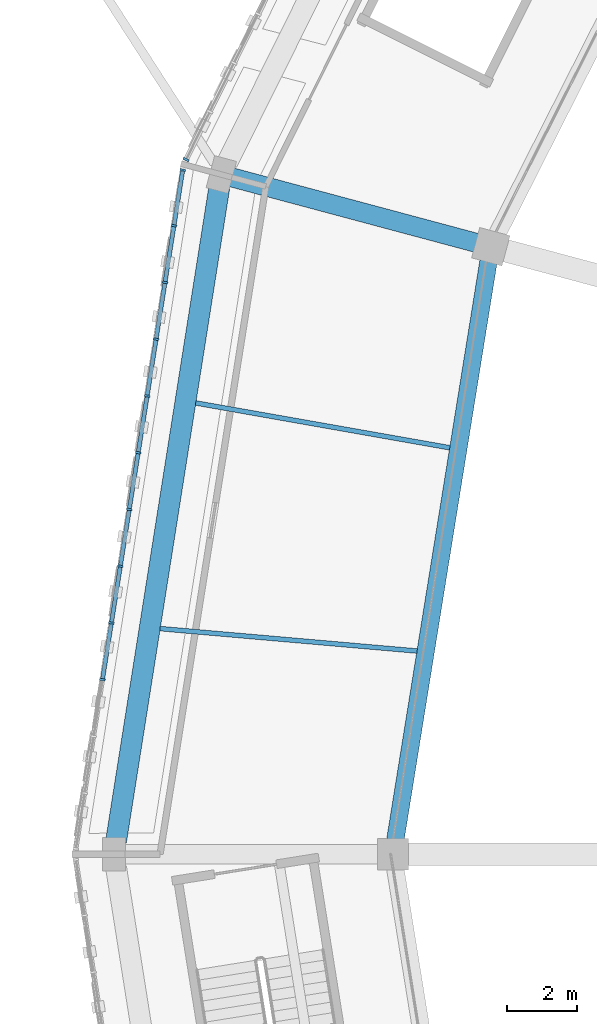
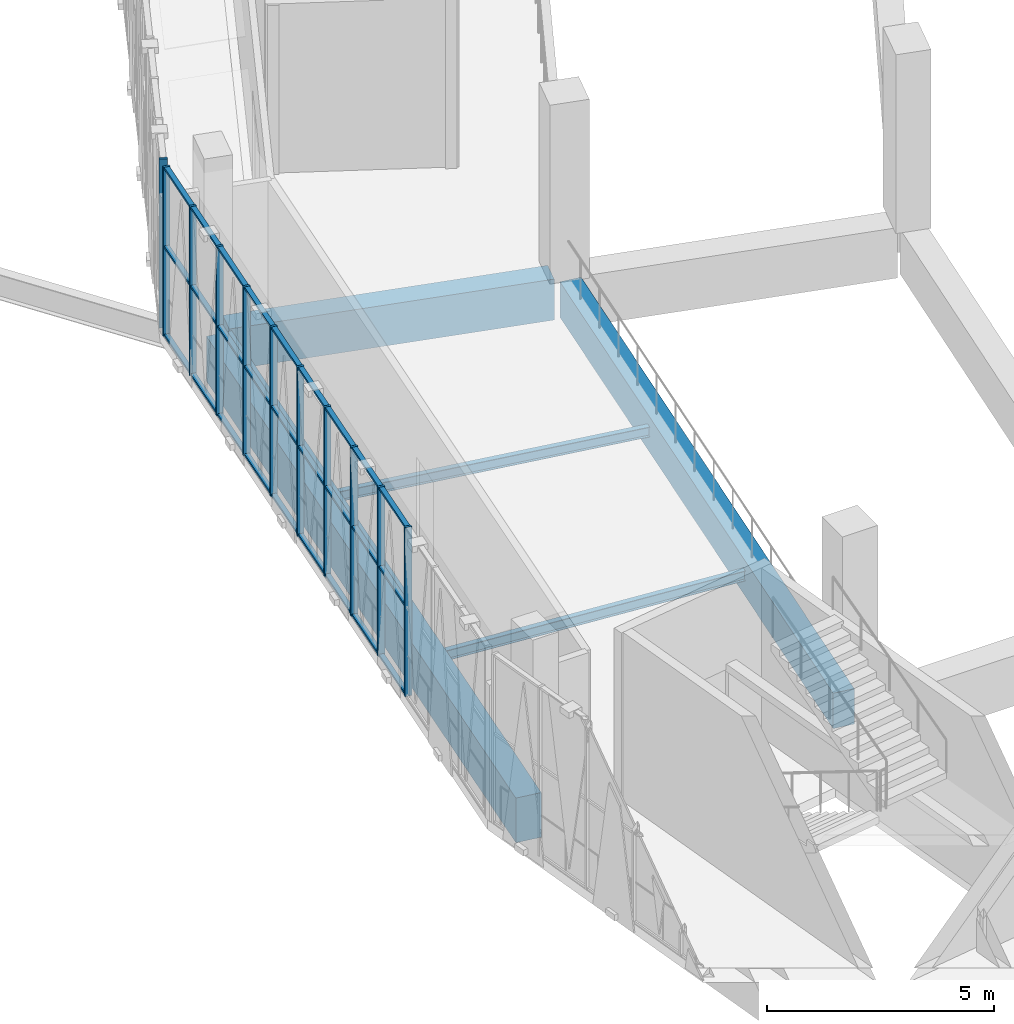
# One storey, part 15 of 108: 38 members, 5 beams, 2 elements without a shape of their own.
"""IFC4 building model written with IfcOpenShell, lengths in metres."""

from ifc_helpers import new_model, si_unit, direction, frame, origin, origin_2d, place, context, subcontext, project, spatial, rectangle, i_section, extrude, material, material_profile, profile_set, type_object, element, aggregate, save


model = new_model("IFC4")

# Units and contexts
model_context = context("Model", 3, precision=1e-05, world=origin(), true_north=direction((0.0, 1.0)))
body_context = subcontext(model_context, "Body", "Model", "MODEL_VIEW")
ifc_project = project(units=[si_unit("LENGTHUNIT", "METRE"), si_unit("AREAUNIT", "SQUARE_METRE"), si_unit("VOLUMEUNIT", "CUBIC_METRE"), si_unit("PLANEANGLEUNIT", "RADIAN"), si_unit("MASSUNIT", "GRAM", prefix="KILO")], contexts=[model_context])

# Site, building, storey
site_placement = place(None, origin())
site = spatial("IfcSite", under=ifc_project, at=site_placement, CompositionType="ELEMENT")
building_placement = place(site_placement, origin())
building = spatial("IfcBuilding", under=site, at=building_placement, Name="Zevraka Park Crest Stadium", CompositionType="ELEMENT")
storey_placement = place(building_placement, frame((0.0, 0.0, 19.800048828125)))
storey = spatial("IfcBuildingStorey", under=building, at=storey_placement, Name="L04", CompositionType="ELEMENT", Elevation=19.800048828125)

# Beam
ifc_material_1 = material(Name="Concrete C40/50", Category="concrete")
ifc_material_profile_1 = material_profile(ifc_material_1, rectangle(XDim=0.550048828125, YDim=1.10009765625, at=origin_2d()), Name="RC 1100x550")
ifc_profile_set_1 = profile_set([ifc_material_profile_1], Name="Concrete C40/50")
beam_type_1 = type_object("IfcBeamType", Name="BG02", PredefinedType="BEAM", material=ifc_profile_set_1)
beam_1_placement = place(storey_placement, frame((32.214111328125, 109.4970703125, -0.56005859375), z_axis=(-0.965968812251, 0.258658565986, 0.0), x_axis=(-0.258658565986, -0.965968812251, 0.0)))
element("IfcBeam", 1, at=beam_1_placement, inside=storey, type_object=beam_type_1, Name="Radial Girder BG02 L04-CD-11", PredefinedType="BEAM", context=body_context, shape_type="SweptSolid", body=[
    extrude(rectangle(XDim=0.550048828125, YDim=1.10009765625, at=origin_2d()), origin(), (0.0, 0.0, 1.0), 7.39892578125),
])

# Curtain wall, members
ifc_material_2 = material(Name="Anodised architectural aluminium and laminated safety glass", Category="aluminium")
curtain_wall_type_1 = type_object("IfcCurtainWallType", Name="CW16", PredefinedType="NOTDEFINED", material=ifc_material_2)
curtain_wall_1_placement = place(storey_placement, origin())
curtain_wall_1 = element("IfcCurtainWall", 2, at=curtain_wall_1_placement, inside=storey, type_object=curtain_wall_type_1, Name="Unitised Ring Curtain Wall CW16 L04-11", PredefinedType="NOTDEFINED")
ifc_material_3 = material(Name="Anodised architectural aluminium", Category="aluminium")
ifc_material_profile_2 = material_profile(ifc_material_3, rectangle(XDim=0.159912109375, YDim=0.06005859375, at=origin_2d()), Name="ALU MULLION 160x60")
ifc_profile_set_2 = profile_set([ifc_material_profile_2], Name="Anodised architectural aluminium")
member_type_1 = type_object("IfcMemberType", Name="CM01", PredefinedType="MULLION", material=ifc_profile_set_2)
member_1_placement = place(storey_placement, frame((23.67041015625, 111.619384765625, 0.0), z_axis=(0.0, 0.0, 1.0), x_axis=(0.987829746281, -0.155539038066, 0.0)))
member_1 = element("IfcMember", 3, at=member_1_placement, type_object=member_type_1, Name="CW16 mullion 1", PredefinedType="MULLION", context=body_context, shape_type="SweptSolid", body=[
    extrude(rectangle(XDim=0.159912109375, YDim=0.06005859375, at=origin_2d()), origin(), (0.0, 0.0, 1.0), 4.5400390625),
])
member_2_placement = place(storey_placement, frame((23.4189453125, 110.02197265625, 0.0), z_axis=(0.0, 0.0, 1.0), x_axis=(0.987829746281, -0.155539038066, 0.0)))
member_2 = element("IfcMember", 4, at=member_2_placement, type_object=member_type_1, Name="CW16 mullion 2", PredefinedType="MULLION", context=body_context, shape_type="SweptSolid", body=[
    extrude(rectangle(XDim=0.159912109375, YDim=0.06005859375, at=origin_2d()), origin(), (0.0, 0.0, 1.0), 4.5400390625),
])
member_3_placement = place(storey_placement, frame((23.16259765625, 108.395263671875, 0.0), z_axis=(0.0, 0.0, 1.0), x_axis=(0.987829746281, -0.155539038066, 0.0)))
member_3 = element("IfcMember", 5, at=member_3_placement, type_object=member_type_1, Name="CW16 mullion 3", PredefinedType="MULLION", context=body_context, shape_type="SweptSolid", body=[
    extrude(rectangle(XDim=0.159912109375, YDim=0.06005859375, at=origin_2d()), origin(), (0.0, 0.0, 1.0), 4.5400390625),
])
member_4_placement = place(storey_placement, frame((22.906494140625, 106.768310546875, 0.0), z_axis=(0.0, 0.0, 1.0), x_axis=(0.987829746281, -0.155539038066, 0.0)))
member_4 = element("IfcMember", 6, at=member_4_placement, type_object=member_type_1, Name="CW16 mullion 4", PredefinedType="MULLION", context=body_context, shape_type="SweptSolid", body=[
    extrude(rectangle(XDim=0.159912109375, YDim=0.06005859375, at=origin_2d()), origin(), (0.0, 0.0, 1.0), 4.5400390625),
])
member_5_placement = place(storey_placement, frame((22.650390625, 105.141357421875, 0.0), z_axis=(0.0, 0.0, 1.0), x_axis=(0.987829746281, -0.155539038066, 0.0)))
member_5 = element("IfcMember", 7, at=member_5_placement, type_object=member_type_1, Name="CW16 mullion 5", PredefinedType="MULLION", context=body_context, shape_type="SweptSolid", body=[
    extrude(rectangle(XDim=0.159912109375, YDim=0.06005859375, at=origin_2d()), origin(), (0.0, 0.0, 1.0), 4.5400390625),
])
member_6_placement = place(storey_placement, frame((22.394287109375, 103.514404296875, 0.0), z_axis=(0.0, 0.0, 1.0), x_axis=(0.987829746281, -0.155539038066, 0.0)))
member_6 = element("IfcMember", 8, at=member_6_placement, type_object=member_type_1, Name="CW16 mullion 6", PredefinedType="MULLION", context=body_context, shape_type="SweptSolid", body=[
    extrude(rectangle(XDim=0.159912109375, YDim=0.06005859375, at=origin_2d()), origin(), (0.0, 0.0, 1.0), 4.5400390625),
])
member_7_placement = place(storey_placement, frame((22.137939453125, 101.887451171875, 0.0), z_axis=(0.0, 0.0, 1.0), x_axis=(0.987829746281, -0.155539038066, 0.0)))
member_7 = element("IfcMember", 9, at=member_7_placement, type_object=member_type_1, Name="CW16 mullion 7", PredefinedType="MULLION", context=body_context, shape_type="SweptSolid", body=[
    extrude(rectangle(XDim=0.159912109375, YDim=0.06005859375, at=origin_2d()), origin(), (0.0, 0.0, 1.0), 4.5400390625),
])
member_8_placement = place(storey_placement, frame((21.8818359375, 100.260498046875, 0.0), z_axis=(0.0, 0.0, 1.0), x_axis=(0.987829746281, -0.155539038066, 0.0)))
member_8 = element("IfcMember", 10, at=member_8_placement, type_object=member_type_1, Name="CW16 mullion 8", PredefinedType="MULLION", context=body_context, shape_type="SweptSolid", body=[
    extrude(rectangle(XDim=0.159912109375, YDim=0.06005859375, at=origin_2d()), origin(), (0.0, 0.0, 1.0), 4.5400390625),
])
member_9_placement = place(storey_placement, frame((21.625732421875, 98.633544921875, 0.0), z_axis=(0.0, 0.0, 1.0), x_axis=(0.987829746281, -0.155539038066, 0.0)))
member_9 = element("IfcMember", 11, at=member_9_placement, type_object=member_type_1, Name="CW16 mullion 9", PredefinedType="MULLION", context=body_context, shape_type="SweptSolid", body=[
    extrude(rectangle(XDim=0.159912109375, YDim=0.06005859375, at=origin_2d()), origin(), (0.0, 0.0, 1.0), 4.5400390625),
])
member_10_placement = place(storey_placement, frame((21.369384765625, 97.0068359375, 0.0), z_axis=(0.0, 0.0, 1.0), x_axis=(0.987829746281, -0.155539038066, 0.0)))
member_10 = element("IfcMember", 12, at=member_10_placement, type_object=member_type_1, Name="CW16 mullion 10", PredefinedType="MULLION", context=body_context, shape_type="SweptSolid", body=[
    extrude(rectangle(XDim=0.159912109375, YDim=0.06005859375, at=origin_2d()), origin(), (0.0, 0.0, 1.0), 4.5400390625),
])

# Curtain wall, member
ifc_material_4 = material(Name="Anodised architectural aluminium and laminated safety glass", Category="aluminium")
curtain_wall_type_2 = type_object("IfcCurtainWallType", Name="CW17", PredefinedType="NOTDEFINED", material=ifc_material_4)
curtain_wall_2_placement = place(storey_placement, origin())
curtain_wall_2 = element("IfcCurtainWall", 13, at=curtain_wall_2_placement, inside=storey, type_object=curtain_wall_type_2, Name="Unitised Ring Curtain Wall CW17 L04-10", PredefinedType="NOTDEFINED")
ifc_material_5 = material(Name="Anodised architectural aluminium", Category="aluminium")
ifc_material_profile_3 = material_profile(ifc_material_5, rectangle(XDim=0.179931640625, YDim=0.06494140625, at=origin_2d()), Name="ALU MULLION 180x65")
ifc_profile_set_3 = profile_set([ifc_material_profile_3], Name="Anodised architectural aluminium")
member_type_2 = type_object("IfcMemberType", Name="CM02", PredefinedType="MULLION", material=ifc_profile_set_3)
member_11_placement = place(storey_placement, frame((23.766357421875, 111.919189453125, 0.0), z_axis=(0.0, 0.0, 1.0), x_axis=(0.896046076106, -0.443961067545, 0.0)))
member_11 = element("IfcMember", 14, at=member_11_placement, type_object=member_type_2, Name="CW17 mullion 14", PredefinedType="MULLION", context=body_context, shape_type="SweptSolid", body=[
    extrude(rectangle(XDim=0.179931640625, YDim=0.06494140625, at=origin_2d()), origin(), (0.0, 0.0, 1.0), 4.5400390625),
])
aggregate(curtain_wall_2, [member_11])

# Member
ifc_material_6 = material(Name="Anodised architectural aluminium", Category="aluminium")
ifc_material_profile_4 = material_profile(ifc_material_6, rectangle(XDim=0.1201171875, YDim=0.06005859375, at=origin_2d()), Name="ALU TRANSOM 120x60")
ifc_profile_set_4 = profile_set([ifc_material_profile_4], Name="Anodised architectural aluminium")
member_type_3 = type_object("IfcMemberType", Name="CT01", PredefinedType="USERDEFINED", material=ifc_profile_set_4)
member_12_placement = place(storey_placement, frame((23.665771484375, 111.58984375, 0.030029296875), z_axis=(-0.155543865752, -0.987828986124, 0.0), x_axis=(0.987828986124, -0.155543865752, 0.0)))
member_12 = element("IfcMember", 15, at=member_12_placement, type_object=member_type_3, Name="CW16 transom 1.1", ObjectType="TRANSOM", PredefinedType="USERDEFINED", context=body_context, shape_type="SweptSolid", body=[
    extrude(rectangle(XDim=0.1201171875, YDim=0.06005859375, at=origin_2d()), origin(), (0.0, 0.0, 1.0), 1.55712890625),
])

member_13_placement = place(storey_placement, frame((23.665771484375, 111.58984375, 2.39990234375), z_axis=(-0.155543865752, -0.987828986124, 0.0), x_axis=(0.987828986124, -0.155543865752, 0.0)))
member_13 = element("IfcMember", 16, at=member_13_placement, type_object=member_type_3, Name="CW16 transom 1.2", ObjectType="TRANSOM", PredefinedType="USERDEFINED", context=body_context, shape_type="SweptSolid", body=[
    extrude(rectangle(XDim=0.1201171875, YDim=0.06005859375, at=origin_2d()), origin(), (0.0, 0.0, 1.0), 1.55712890625),
])

member_14_placement = place(storey_placement, frame((23.665771484375, 111.58984375, 4.510009765625), z_axis=(-0.155543865752, -0.987828986124, 0.0), x_axis=(0.987828986124, -0.155543865752, 0.0)))
member_14 = element("IfcMember", 17, at=member_14_placement, type_object=member_type_3, Name="CW16 transom 1.3", ObjectType="TRANSOM", PredefinedType="USERDEFINED", context=body_context, shape_type="SweptSolid", body=[
    extrude(rectangle(XDim=0.1201171875, YDim=0.06005859375, at=origin_2d()), origin(), (0.0, 0.0, 1.0), 1.55712890625),
])

member_15_placement = place(storey_placement, frame((23.4140625, 109.992431640625, 0.030029296875), z_axis=(-0.155535954577, -0.987830231788, 0.0), x_axis=(0.987830231788, -0.155535954577, 0.0)))
member_15 = element("IfcMember", 18, at=member_15_placement, type_object=member_type_3, Name="CW16 transom 2.1", ObjectType="TRANSOM", PredefinedType="USERDEFINED", context=body_context, shape_type="SweptSolid", body=[
    extrude(rectangle(XDim=0.1201171875, YDim=0.06005859375, at=origin_2d()), origin(), (0.0, 0.0, 1.0), 1.5869140625),
])

member_16_placement = place(storey_placement, frame((23.4140625, 109.992431640625, 2.39990234375), z_axis=(-0.155535954577, -0.987830231788, 0.0), x_axis=(0.987830231788, -0.155535954577, 0.0)))
member_16 = element("IfcMember", 19, at=member_16_placement, type_object=member_type_3, Name="CW16 transom 2.2", ObjectType="TRANSOM", PredefinedType="USERDEFINED", context=body_context, shape_type="SweptSolid", body=[
    extrude(rectangle(XDim=0.1201171875, YDim=0.06005859375, at=origin_2d()), origin(), (0.0, 0.0, 1.0), 1.5869140625),
])

member_17_placement = place(storey_placement, frame((23.4140625, 109.992431640625, 4.510009765625), z_axis=(-0.155535954577, -0.987830231788, 0.0), x_axis=(0.987830231788, -0.155535954577, 0.0)))
member_17 = element("IfcMember", 20, at=member_17_placement, type_object=member_type_3, Name="CW16 transom 2.3", ObjectType="TRANSOM", PredefinedType="USERDEFINED", context=body_context, shape_type="SweptSolid", body=[
    extrude(rectangle(XDim=0.1201171875, YDim=0.06005859375, at=origin_2d()), origin(), (0.0, 0.0, 1.0), 1.5869140625),
])

member_18_placement = place(storey_placement, frame((23.157958984375, 108.365478515625, 0.030029296875), z_axis=(-0.155535954577, -0.987830231788, 0.0), x_axis=(0.987830231788, -0.155535954577, 0.0)))
member_18 = element("IfcMember", 21, at=member_18_placement, type_object=member_type_3, Name="CW16 transom 3.1", ObjectType="TRANSOM", PredefinedType="USERDEFINED", context=body_context, shape_type="SweptSolid", body=[
    extrude(rectangle(XDim=0.1201171875, YDim=0.06005859375, at=origin_2d()), origin(), (0.0, 0.0, 1.0), 1.5869140625),
])

member_19_placement = place(storey_placement, frame((23.157958984375, 108.365478515625, 2.39990234375), z_axis=(-0.155535954577, -0.987830231788, 0.0), x_axis=(0.987830231788, -0.155535954577, 0.0)))
member_19 = element("IfcMember", 22, at=member_19_placement, type_object=member_type_3, Name="CW16 transom 3.2", ObjectType="TRANSOM", PredefinedType="USERDEFINED", context=body_context, shape_type="SweptSolid", body=[
    extrude(rectangle(XDim=0.1201171875, YDim=0.06005859375, at=origin_2d()), origin(), (0.0, 0.0, 1.0), 1.5869140625),
])

member_20_placement = place(storey_placement, frame((23.157958984375, 108.365478515625, 4.510009765625), z_axis=(-0.155535954577, -0.987830231788, 0.0), x_axis=(0.987830231788, -0.155535954577, 0.0)))
member_20 = element("IfcMember", 23, at=member_20_placement, type_object=member_type_3, Name="CW16 transom 3.3", ObjectType="TRANSOM", PredefinedType="USERDEFINED", context=body_context, shape_type="SweptSolid", body=[
    extrude(rectangle(XDim=0.1201171875, YDim=0.06005859375, at=origin_2d()), origin(), (0.0, 0.0, 1.0), 1.5869140625),
])

member_21_placement = place(storey_placement, frame((22.90185546875, 106.738525390625, 0.030029296875), z_axis=(-0.155535954577, -0.987830231788, 0.0), x_axis=(0.987830231788, -0.155535954577, 0.0)))
member_21 = element("IfcMember", 24, at=member_21_placement, type_object=member_type_3, Name="CW16 transom 4.1", ObjectType="TRANSOM", PredefinedType="USERDEFINED", context=body_context, shape_type="SweptSolid", body=[
    extrude(rectangle(XDim=0.1201171875, YDim=0.06005859375, at=origin_2d()), origin(), (0.0, 0.0, 1.0), 1.5869140625),
])

member_22_placement = place(storey_placement, frame((22.90185546875, 106.738525390625, 2.39990234375), z_axis=(-0.155535954577, -0.987830231788, 0.0), x_axis=(0.987830231788, -0.155535954577, 0.0)))
member_22 = element("IfcMember", 25, at=member_22_placement, type_object=member_type_3, Name="CW16 transom 4.2", ObjectType="TRANSOM", PredefinedType="USERDEFINED", context=body_context, shape_type="SweptSolid", body=[
    extrude(rectangle(XDim=0.1201171875, YDim=0.06005859375, at=origin_2d()), origin(), (0.0, 0.0, 1.0), 1.5869140625),
])

member_23_placement = place(storey_placement, frame((22.90185546875, 106.738525390625, 4.510009765625), z_axis=(-0.155535954577, -0.987830231788, 0.0), x_axis=(0.987830231788, -0.155535954577, 0.0)))
member_23 = element("IfcMember", 26, at=member_23_placement, type_object=member_type_3, Name="CW16 transom 4.3", ObjectType="TRANSOM", PredefinedType="USERDEFINED", context=body_context, shape_type="SweptSolid", body=[
    extrude(rectangle(XDim=0.1201171875, YDim=0.06005859375, at=origin_2d()), origin(), (0.0, 0.0, 1.0), 1.5869140625),
])

member_24_placement = place(storey_placement, frame((22.645751953125, 105.11181640625, 0.030029296875), z_axis=(-0.155512321102, -0.987833952639, 0.0), x_axis=(0.987833952639, -0.155512321102, 0.0)))
member_24 = element("IfcMember", 27, at=member_24_placement, type_object=member_type_3, Name="CW16 transom 5.1", ObjectType="TRANSOM", PredefinedType="USERDEFINED", context=body_context, shape_type="SweptSolid", body=[
    extrude(rectangle(XDim=0.1201171875, YDim=0.06005859375, at=origin_2d()), origin(), (0.0, 0.0, 1.0), 1.587158203125),
])

member_25_placement = place(storey_placement, frame((22.645751953125, 105.11181640625, 2.39990234375), z_axis=(-0.155512321102, -0.987833952639, 0.0), x_axis=(0.987833952639, -0.155512321102, 0.0)))
member_25 = element("IfcMember", 28, at=member_25_placement, type_object=member_type_3, Name="CW16 transom 5.2", ObjectType="TRANSOM", PredefinedType="USERDEFINED", context=body_context, shape_type="SweptSolid", body=[
    extrude(rectangle(XDim=0.1201171875, YDim=0.06005859375, at=origin_2d()), origin(), (0.0, 0.0, 1.0), 1.587158203125),
])

member_26_placement = place(storey_placement, frame((22.645751953125, 105.11181640625, 4.510009765625), z_axis=(-0.155512321102, -0.987833952639, 0.0), x_axis=(0.987833952639, -0.155512321102, 0.0)))
member_26 = element("IfcMember", 29, at=member_26_placement, type_object=member_type_3, Name="CW16 transom 5.3", ObjectType="TRANSOM", PredefinedType="USERDEFINED", context=body_context, shape_type="SweptSolid", body=[
    extrude(rectangle(XDim=0.1201171875, YDim=0.06005859375, at=origin_2d()), origin(), (0.0, 0.0, 1.0), 1.587158203125),
])

member_27_placement = place(storey_placement, frame((22.389404296875, 103.48486328125, 0.030029296875), z_axis=(-0.155535954577, -0.987830231788, 0.0), x_axis=(0.987830231788, -0.155535954577, 0.0)))
member_27 = element("IfcMember", 30, at=member_27_placement, type_object=member_type_3, Name="CW16 transom 6.1", ObjectType="TRANSOM", PredefinedType="USERDEFINED", context=body_context, shape_type="SweptSolid", body=[
    extrude(rectangle(XDim=0.1201171875, YDim=0.06005859375, at=origin_2d()), origin(), (0.0, 0.0, 1.0), 1.5869140625),
])

member_28_placement = place(storey_placement, frame((22.389404296875, 103.48486328125, 2.39990234375), z_axis=(-0.155535954577, -0.987830231788, 0.0), x_axis=(0.987830231788, -0.155535954577, 0.0)))
member_28 = element("IfcMember", 31, at=member_28_placement, type_object=member_type_3, Name="CW16 transom 6.2", ObjectType="TRANSOM", PredefinedType="USERDEFINED", context=body_context, shape_type="SweptSolid", body=[
    extrude(rectangle(XDim=0.1201171875, YDim=0.06005859375, at=origin_2d()), origin(), (0.0, 0.0, 1.0), 1.5869140625),
])

member_29_placement = place(storey_placement, frame((22.389404296875, 103.48486328125, 4.510009765625), z_axis=(-0.155535954577, -0.987830231788, 0.0), x_axis=(0.987830231788, -0.155535954577, 0.0)))
member_29 = element("IfcMember", 32, at=member_29_placement, type_object=member_type_3, Name="CW16 transom 6.3", ObjectType="TRANSOM", PredefinedType="USERDEFINED", context=body_context, shape_type="SweptSolid", body=[
    extrude(rectangle(XDim=0.1201171875, YDim=0.06005859375, at=origin_2d()), origin(), (0.0, 0.0, 1.0), 1.5869140625),
])

member_30_placement = place(storey_placement, frame((22.13330078125, 101.85791015625, 0.030029296875), z_axis=(-0.155535954577, -0.987830231788, 0.0), x_axis=(0.987830231788, -0.155535954577, 0.0)))
member_30 = element("IfcMember", 33, at=member_30_placement, type_object=member_type_3, Name="CW16 transom 7.1", ObjectType="TRANSOM", PredefinedType="USERDEFINED", context=body_context, shape_type="SweptSolid", body=[
    extrude(rectangle(XDim=0.1201171875, YDim=0.06005859375, at=origin_2d()), origin(), (0.0, 0.0, 1.0), 1.5869140625),
])

member_31_placement = place(storey_placement, frame((22.13330078125, 101.85791015625, 2.39990234375), z_axis=(-0.155535954577, -0.987830231788, 0.0), x_axis=(0.987830231788, -0.155535954577, 0.0)))
member_31 = element("IfcMember", 34, at=member_31_placement, type_object=member_type_3, Name="CW16 transom 7.2", ObjectType="TRANSOM", PredefinedType="USERDEFINED", context=body_context, shape_type="SweptSolid", body=[
    extrude(rectangle(XDim=0.1201171875, YDim=0.06005859375, at=origin_2d()), origin(), (0.0, 0.0, 1.0), 1.5869140625),
])

member_32_placement = place(storey_placement, frame((22.13330078125, 101.85791015625, 4.510009765625), z_axis=(-0.155535954577, -0.987830231788, 0.0), x_axis=(0.987830231788, -0.155535954577, 0.0)))
member_32 = element("IfcMember", 35, at=member_32_placement, type_object=member_type_3, Name="CW16 transom 7.3", ObjectType="TRANSOM", PredefinedType="USERDEFINED", context=body_context, shape_type="SweptSolid", body=[
    extrude(rectangle(XDim=0.1201171875, YDim=0.06005859375, at=origin_2d()), origin(), (0.0, 0.0, 1.0), 1.5869140625),
])

member_33_placement = place(storey_placement, frame((21.877197265625, 100.23095703125, 0.030029296875), z_axis=(-0.155535954577, -0.987830231788, 0.0), x_axis=(0.987830231788, -0.155535954577, 0.0)))
member_33 = element("IfcMember", 36, at=member_33_placement, type_object=member_type_3, Name="CW16 transom 8.1", ObjectType="TRANSOM", PredefinedType="USERDEFINED", context=body_context, shape_type="SweptSolid", body=[
    extrude(rectangle(XDim=0.1201171875, YDim=0.06005859375, at=origin_2d()), origin(), (0.0, 0.0, 1.0), 1.5869140625),
])

member_34_placement = place(storey_placement, frame((21.877197265625, 100.23095703125, 2.39990234375), z_axis=(-0.155535954577, -0.987830231788, 0.0), x_axis=(0.987830231788, -0.155535954577, 0.0)))
member_34 = element("IfcMember", 37, at=member_34_placement, type_object=member_type_3, Name="CW16 transom 8.2", ObjectType="TRANSOM", PredefinedType="USERDEFINED", context=body_context, shape_type="SweptSolid", body=[
    extrude(rectangle(XDim=0.1201171875, YDim=0.06005859375, at=origin_2d()), origin(), (0.0, 0.0, 1.0), 1.5869140625),
])

member_35_placement = place(storey_placement, frame((21.877197265625, 100.23095703125, 4.510009765625), z_axis=(-0.155535954577, -0.987830231788, 0.0), x_axis=(0.987830231788, -0.155535954577, 0.0)))
member_35 = element("IfcMember", 38, at=member_35_placement, type_object=member_type_3, Name="CW16 transom 8.3", ObjectType="TRANSOM", PredefinedType="USERDEFINED", context=body_context, shape_type="SweptSolid", body=[
    extrude(rectangle(XDim=0.1201171875, YDim=0.06005859375, at=origin_2d()), origin(), (0.0, 0.0, 1.0), 1.5869140625),
])

member_36_placement = place(storey_placement, frame((21.62109375, 98.60400390625, 0.030029296875), z_axis=(-0.155535954577, -0.987830231788, 0.0), x_axis=(0.987830231788, -0.155535954577, 0.0)))
member_36 = element("IfcMember", 39, at=member_36_placement, type_object=member_type_3, Name="CW16 transom 9.1", ObjectType="TRANSOM", PredefinedType="USERDEFINED", context=body_context, shape_type="SweptSolid", body=[
    extrude(rectangle(XDim=0.1201171875, YDim=0.06005859375, at=origin_2d()), origin(), (0.0, 0.0, 1.0), 1.5869140625),
])

member_37_placement = place(storey_placement, frame((21.62109375, 98.60400390625, 2.39990234375), z_axis=(-0.155535954577, -0.987830231788, 0.0), x_axis=(0.987830231788, -0.155535954577, 0.0)))
member_37 = element("IfcMember", 40, at=member_37_placement, type_object=member_type_3, Name="CW16 transom 9.2", ObjectType="TRANSOM", PredefinedType="USERDEFINED", context=body_context, shape_type="SweptSolid", body=[
    extrude(rectangle(XDim=0.1201171875, YDim=0.06005859375, at=origin_2d()), origin(), (0.0, 0.0, 1.0), 1.5869140625),
])

member_38_placement = place(storey_placement, frame((21.62109375, 98.60400390625, 4.510009765625), z_axis=(-0.155535954577, -0.987830231788, 0.0), x_axis=(0.987830231788, -0.155535954577, 0.0)))
member_38 = element("IfcMember", 41, at=member_38_placement, type_object=member_type_3, Name="CW16 transom 9.3", ObjectType="TRANSOM", PredefinedType="USERDEFINED", context=body_context, shape_type="SweptSolid", body=[
    extrude(rectangle(XDim=0.1201171875, YDim=0.06005859375, at=origin_2d()), origin(), (0.0, 0.0, 1.0), 1.5869140625),
])

aggregate(curtain_wall_1, [member_1, member_2, member_3, member_4, member_5, member_6, member_7, member_8, member_9, member_10, member_12, member_13, member_14, member_15, member_16, member_17, member_18, member_19, member_20, member_21, member_22, member_23, member_24, member_25, member_26, member_27, member_28, member_29, member_30, member_31, member_32, member_33, member_34, member_35, member_36, member_37, member_38])

# Beams
ifc_material_7 = material(Name="Concrete C40/50", Category="concrete")
ifc_material_profile_5 = material_profile(ifc_material_7, rectangle(XDim=0.60009765625, YDim=1.199951171875, at=origin_2d()), Name="RC 1200x600")
ifc_profile_set_5 = profile_set([ifc_material_profile_5], Name="Concrete C40/50")
beam_type_2 = type_object("IfcBeamType", Name="RB01", PredefinedType="BEAM", material=ifc_profile_set_5)
beam_2_placement = place(storey_placement, frame((24.718017578125, 111.114013671875, -0.610107421875), z_axis=(-0.155972486086, -0.987761400129, 0.0), x_axis=(0.987761400129, -0.155972486086, 0.0)))
element("IfcBeam", 42, at=beam_2_placement, inside=storey, type_object=beam_type_2, Name="Ring Beam RB01 L04-D-11", PredefinedType="BEAM", context=body_context, shape_type="SweptSolid", body=[
    extrude(rectangle(XDim=0.60009765625, YDim=1.199951171875, at=origin_2d()), origin(), (0.0, 0.0, 1.0), 18.97119140625),
])
ifc_material_8 = material(Name="Concrete C40/50", Category="concrete")
ifc_material_profile_6 = material_profile(ifc_material_8, rectangle(XDim=0.5, YDim=0.949951171875, at=origin_2d()), Name="RC 950x500")
ifc_profile_set_6 = profile_set([ifc_material_profile_6], Name="Concrete C40/50")
beam_type_3 = type_object("IfcBeamType", Name="RB02", PredefinedType="BEAM", material=ifc_profile_set_6)
beam_3_placement = place(storey_placement, frame((32.444091796875, 109.0439453125, -0.485107421875), z_axis=(-0.158975112778, -0.987282590507, 0.0), x_axis=(0.987282590507, -0.158975112778, 0.0)))
element("IfcBeam", 43, at=beam_3_placement, inside=storey, type_object=beam_type_3, Name="Ring Beam RB02 L04-C-11", PredefinedType="BEAM", context=body_context, shape_type="SweptSolid", body=[
    extrude(rectangle(XDim=0.5, YDim=0.949951171875, at=origin_2d()), origin(), (0.0, 0.0, 1.0), 16.883544921875),
])
ifc_material_9 = material(Name="Steel S355", Category="steel")
ifc_material_profile_7 = material_profile(ifc_material_9, i_section(OverallWidth=0.135009765625, OverallDepth=0.27001953125, WebThickness=0.006591796875, FlangeThickness=0.01025390625, at=origin_2d()), Name="IPE 270")
ifc_profile_set_7 = profile_set([ifc_material_profile_7], Name="Steel S355")
beam_type_4 = type_object("IfcBeamType", Name="SJ07", PredefinedType="JOIST", material=ifc_profile_set_7)
beam_4_placement = place(storey_placement, frame((31.327880859375, 103.655029296875, -0.403076171875), z_axis=(-0.984780236621, 0.17380415864, 0.0), x_axis=(-0.17380415864, -0.984780236621, 0.0)))
element("IfcBeam", 44, at=beam_4_placement, inside=storey, type_object=beam_type_4, Name="Floor Joist SJ07 L04-CD-11-1", PredefinedType="JOIST", context=body_context, shape_type="SweptSolid", body=[
    extrude(i_section(OverallWidth=0.135009765625, OverallDepth=0.27001953125, WebThickness=0.006591796875, FlangeThickness=0.01025390625, at=origin_2d()), origin(), (0.0, 0.0, 1.0), 7.3984375),
])
beam_5_placement = place(storey_placement, frame((30.39111328125, 97.827880859375, -0.403076171875), z_axis=(-0.996216033434, 0.086911533918, 0.0), x_axis=(-0.086911533918, -0.996216033434, 0.0)))
element("IfcBeam", 45, at=beam_5_placement, inside=storey, type_object=beam_type_4, Name="Floor Joist SJ07 L04-CD-11-2", PredefinedType="JOIST", context=body_context, shape_type="SweptSolid", body=[
    extrude(i_section(OverallWidth=0.135009765625, OverallDepth=0.27001953125, WebThickness=0.006591796875, FlangeThickness=0.01025390625, at=origin_2d()), origin(), (0.0, 0.0, 1.0), 7.399169921875),
])

save(model, "model.ifc")
